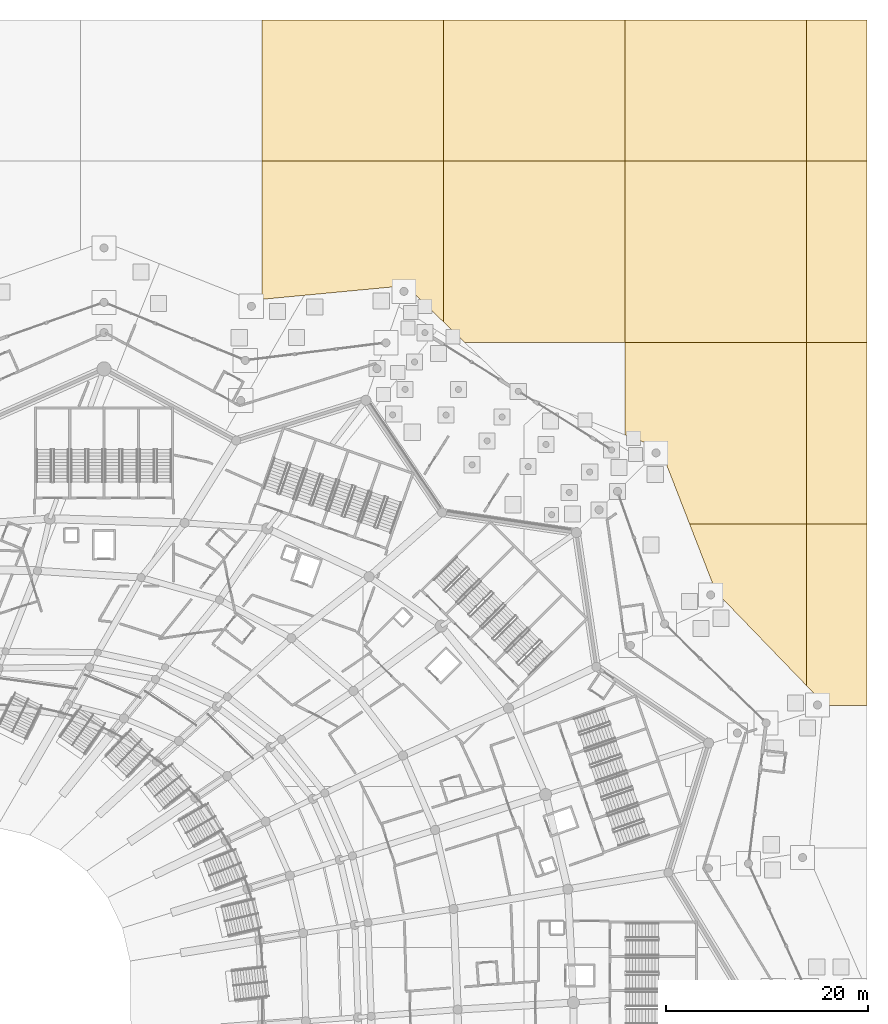
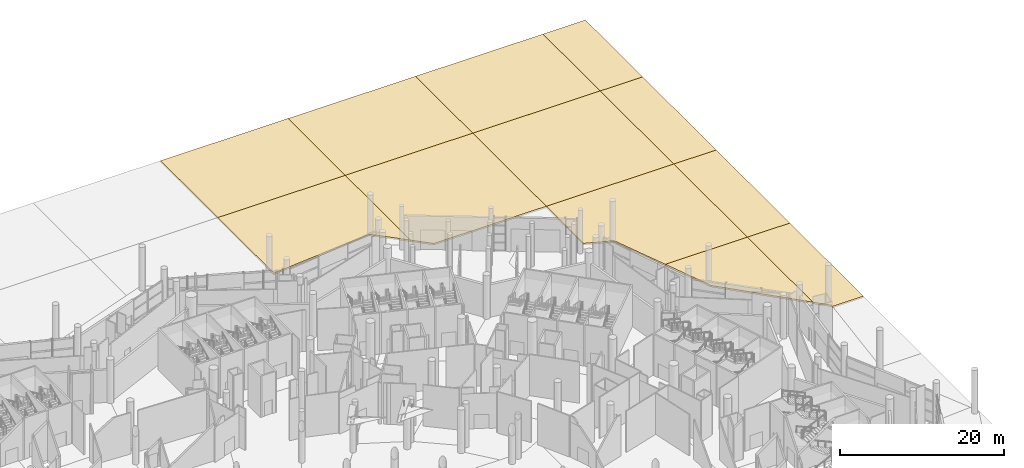
# One storey, part 255 of 255: 12 coverings.
"""IFC4 building model written with IfcOpenShell, lengths in metres."""

import ifcopenshell
import ifcopenshell.guid

model = None  # the IFC model being written
_history = None  # IfcOwnerHistory: only IFC2X3 demands one
_inside = {}  # id of a spatial element -> (the spatial element, [elements in it])
_under = {}  # id of a project, library or spatial element -> (it, [spatial elements below it])
_declared = {}  # id of a project -> (the project, [libraries it declares])
_typed = {}  # id of a type object -> (the type object, [elements of that type])
_made_of = {}  # id of a material, layer set ... -> (it, [elements and type objects made of it])


def new_model(schema):
    """Start an empty IFC model of exactly this schema.

    Asked for "IFC4X3", IfcOpenShell would pick the latest addendum, in which some entities
    have other attributes; the version numbers below select the first issue.
    IFC2X3 requires an IfcOwnerHistory on every rooted entity: one is made here for all.
    """
    global model, _history
    if schema == "IFC4X3":
        model = ifcopenshell.file(schema_version=(4, 3, 0, 0))
    else:
        model = ifcopenshell.file(schema=schema)
    _inside.clear()
    _under.clear()
    _declared.clear()
    _typed.clear()
    _made_of.clear()
    _history = None
    if model.schema == "IFC2X3":
        org = make("IfcOrganization", Name="unknown")
        user = make(
            "IfcPersonAndOrganization",
            ThePerson=make("IfcPerson", FamilyName="unknown"),
            TheOrganization=org,
        )
        app = make(
            "IfcApplication",
            ApplicationDeveloper=org,
            Version="unknown",
            ApplicationFullName="unknown",
            ApplicationIdentifier="unknown",
        )
        _history = make(
            "IfcOwnerHistory",
            OwningUser=user,
            OwningApplication=app,
            ChangeAction="ADDED",
            CreationDate=0,
        )
    return model


def make(cls, **values):
    """One entity of the class cls with the attributes given. An attribute that is None is left unset."""
    return model.create_entity(
        cls, **{name: value for name, value in values.items() if value is not None}
    )


def rooted(cls, **values):
    """An entity with a GlobalId (a new one), such as an element, a storey or a relation."""
    return make(cls, GlobalId=ifcopenshell.guid.new(), OwnerHistory=_history, **values)


def si_unit(unit_type, name, prefix=None):
    """IfcSIUnit, for example si_unit("LENGTHUNIT", "METRE", prefix="MILLI")."""
    return make("IfcSIUnit", UnitType=unit_type, Prefix=prefix, Name=name)


def assignment(units):
    """IfcUnitAssignment: the units of a project."""
    return None if units is None else make("IfcUnitAssignment", Units=units)


def point(xyz):
    """IfcCartesianPoint."""
    return None if xyz is None else make("IfcCartesianPoint", Coordinates=xyz)


def direction(xyz):
    """IfcDirection."""
    return None if xyz is None else make("IfcDirection", DirectionRatios=xyz)


def frame(location, z_axis=None, x_axis=None):
    """IfcAxis2Placement3D, a coordinate frame: its origin and axes. An axis left out is left unset."""
    return make(
        "IfcAxis2Placement3D",
        Location=point(location),
        Axis=direction(z_axis),
        RefDirection=direction(x_axis),
    )


def origin():
    """The frame at (0, 0, 0) with its axes left unset."""
    return frame((0.0, 0.0, 0.0))


def place(relative_to, where):
    """IfcLocalPlacement: puts the frame where relative to a parent placement (None: the world)."""
    return make(
        "IfcLocalPlacement", PlacementRelTo=relative_to, RelativePlacement=where
    )


def context(
    kind, dimensions, precision=None, world=None, true_north=None, identifier=None
):
    """IfcGeometricRepresentationContext, for example the 3D "Model" context."""
    return make(
        "IfcGeometricRepresentationContext",
        ContextIdentifier=identifier,
        ContextType=kind,
        CoordinateSpaceDimension=dimensions,
        Precision=precision,
        WorldCoordinateSystem=world,
        TrueNorth=true_north,
    )


def subcontext(parent, identifier, kind, view, scale=None):
    """IfcGeometricRepresentationSubContext, for example "Body" below "Model"."""
    return make(
        "IfcGeometricRepresentationSubContext",
        ContextIdentifier=identifier,
        ContextType=kind,
        ParentContext=parent,
        TargetScale=scale,
        TargetView=view,
    )


def project(units=None, contexts=None):
    """IfcProject with its units and contexts."""
    return rooted(
        "IfcProject",
        Name="project",
        RepresentationContexts=contexts,
        UnitsInContext=assignment(units),
    )


def spatial(cls, under=None, at=None, **own):
    """A site, building, storey or space (cls), placed at a placement, below another one or the project."""
    s = rooted(cls, ObjectPlacement=at, **own)
    if under is not None:
        _under.setdefault(under.id(), (under, []))[1].append(s)
    return s


def polyline(points):
    """IfcPolyline through the points."""
    return make("IfcPolyline", Points=[point(p) for p in points])


def outline(outer, holes=None, kind="AREA"):
    """IfcArbitraryClosedProfileDef: a profile drawn as a closed curve; with holes, ...WithVoids."""
    if holes is None:
        return make("IfcArbitraryClosedProfileDef", ProfileType=kind, OuterCurve=outer)
    return make(
        "IfcArbitraryProfileDefWithVoids",
        ProfileType=kind,
        OuterCurve=outer,
        InnerCurves=holes,
    )


def extrude(swept, where, along, depth):
    """IfcExtrudedAreaSolid: the profile swept, set in the frame where, extruded along a direction by depth."""
    return make(
        "IfcExtrudedAreaSolid",
        SweptArea=swept,
        Position=where,
        ExtrudedDirection=direction(along),
        Depth=depth,
    )


def shape(context_of_items, identifier, shape_type, items):
    """IfcShapeRepresentation: the items that make up one representation, for example the "Body"."""
    return make(
        "IfcShapeRepresentation",
        ContextOfItems=context_of_items,
        RepresentationIdentifier=identifier,
        RepresentationType=shape_type,
        Items=items,
    )


def material(Name=None, Category=None):
    """IfcMaterial."""
    return make("IfcMaterial", Name=Name, Category=Category)


def layer(
    of_material, thickness, ventilated=None, Name=None, Category=None, Priority=None
):
    """IfcMaterialLayer: one layer of a wall or slab, of a material (None: an air gap)."""
    return make(
        "IfcMaterialLayer",
        Material=of_material,
        LayerThickness=thickness,
        IsVentilated=ventilated,
        Name=Name,
        Category=Category,
        Priority=Priority,
    )


def layer_set(layers, Name=None):
    """IfcMaterialLayerSet."""
    return make("IfcMaterialLayerSet", MaterialLayers=layers, LayerSetName=Name)


def made_of(thing, what):
    """Note that an element or type object is made of a material, layer set ...; save() writes the relation."""
    if what is not None:
        _made_of.setdefault(what.id(), (what, []))[1].append(thing)
    return thing


def type_object(cls, material=None, **own):
    """A type object (cls), such as IfcWallType, which elements share."""
    return made_of(rooted(cls, **own), material)


def element(
    cls,
    number,
    at=None,
    inside=None,
    cuts=None,
    type_object=None,
    material=None,
    context=None,
    identifier="Body",
    shape_type=None,
    held_by="IfcProductDefinitionShape",
    body=None,
    shapes=None,
    **own,
):
    """One element of the class cls, such as IfcWall. Its Tag is "e" and its number.

    at: its placement. inside: the storey or other place that contains it. cuts: it is an
    opening in that element (IfcRelVoidsElement). A single representation is given by context,
    identifier, shape_type and body (its items); several are given by shapes. held_by: the class
    of the entity that holds the representations. save() writes the other relations.
    """
    e = rooted(cls, Tag="e%d" % number, ObjectPlacement=at, **own)
    if body is not None:
        shapes = [shape(context, identifier, shape_type, body)]
    if shapes is not None:
        e.Representation = make(held_by, Representations=shapes)
    if inside is not None:
        _inside.setdefault(inside.id(), (inside, []))[1].append(e)
    if cuts is not None:
        rooted(
            "IfcRelVoidsElement", RelatingBuildingElement=cuts, RelatedOpeningElement=e
        )
    if type_object is not None:
        _typed.setdefault(type_object.id(), (type_object, []))[1].append(e)
    return made_of(e, material)


def aggregate(whole, parts):
    """IfcRelAggregates: a whole, such as a stair, and the parts it consists of."""
    return rooted("IfcRelAggregates", RelatingObject=whole, RelatedObjects=parts)


def save(model, path):
    """Write the relations noted so far, then the file.

    IfcRelAggregates (storeys below a building ...), IfcRelContainedInSpatialStructure (elements
    in a storey), IfcRelDefinesByType, IfcRelAssociatesMaterial and IfcRelDeclares: one each for
    every whole, place, type object, material and project.
    """
    for whole, parts in _under.values():
        aggregate(whole, parts)
    for where, things in _inside.values():
        rooted(
            "IfcRelContainedInSpatialStructure",
            RelatedElements=things,
            RelatingStructure=where,
        )
    for kind, things in _typed.values():
        rooted("IfcRelDefinesByType", RelatedObjects=things, RelatingType=kind)
    for what, things in _made_of.values():
        rooted("IfcRelAssociatesMaterial", RelatedObjects=things, RelatingMaterial=what)
    for by, libraries in _declared.values():
        rooted("IfcRelDeclares", RelatingContext=by, RelatedDefinitions=libraries)
    model.write(path)


model = new_model("IFC4")

# Units and contexts
model_context = context("Model", 3, precision=1e-05, world=origin(), true_north=direction((0.0, 1.0)))
body_context = subcontext(model_context, "Body", "Model", "MODEL_VIEW")
ifc_project = project(units=[si_unit("LENGTHUNIT", "METRE"), si_unit("AREAUNIT", "SQUARE_METRE"), si_unit("VOLUMEUNIT", "CUBIC_METRE"), si_unit("PLANEANGLEUNIT", "RADIAN"), si_unit("MASSUNIT", "GRAM", prefix="KILO")], contexts=[model_context])

# Site, building, storey
site_placement = place(None, origin())
site = spatial("IfcSite", under=ifc_project, at=site_placement, CompositionType="ELEMENT")
building_placement = place(site_placement, origin())
building = spatial("IfcBuilding", under=site, at=building_placement, Name="Meseta Stadium", CompositionType="ELEMENT")
storey_placement = place(building_placement, origin())
storey = spatial("IfcBuildingStorey", under=building, at=storey_placement, Name="L00", CompositionType="ELEMENT", Elevation=0.0)

# Coverings
ifc_material = material(Name="Guadarrama granite paving on bedding", Category="masonry")
ifc_layer = layer(ifc_material, 0.25)
ifc_layer_set = layer_set([ifc_layer], Name="Ground paving 250")
covering_type = type_object("IfcCoveringType", Name="Ground paving 250", PredefinedType="FLOORING", material=ifc_layer_set)
covering_1_placement = place(storey_placement, frame((0.0, 0.0, -0.25)))
element("IfcCovering", 1, at=covering_1_placement, inside=storey, type_object=covering_type, Name="Forecourt paving 51", PredefinedType="FLOORING", context=body_context, shape_type="SweptSolid", body=[
    extrude(outline(polyline([(108.0, 73.986083984375), (109.6533203125, 72.273193359375), (109.627197265625, 72.0), (114.0, 72.0), (114.0, 90.0), (108.0, 90.0), (108.0, 73.986083984375)])), origin(), (0.0, 0.0, 1.0), 0.25),
])
covering_2_placement = place(storey_placement, frame((0.0, 0.0, -0.25)))
element("IfcCovering", 2, at=covering_2_placement, inside=storey, type_object=covering_type, Name="Forecourt paving 53", PredefinedType="FLOORING", context=body_context, shape_type="SweptSolid", body=[
    extrude(outline(polyline([(96.406982421875, 90.0), (99.0048828125, 83.30517578125), (108.0, 73.986083984375), (108.0, 90.0), (96.406982421875, 90.0)])), origin(), (0.0, 0.0, 1.0), 0.25),
])
covering_3_placement = place(storey_placement, frame((0.0, 0.0, -0.25)))
element("IfcCovering", 3, at=covering_3_placement, inside=storey, type_object=covering_type, Name="Forecourt paving 56", PredefinedType="FLOORING", context=body_context, shape_type="SweptSolid", body=[
    extrude(outline(polyline([(114.0, 90.0), (114.0, 108.0), (108.0, 108.0), (108.0, 90.0), (114.0, 90.0)])), origin(), (0.0, 0.0, 1.0), 0.25),
])
covering_4_placement = place(storey_placement, frame((0.0, 0.0, -0.25)))
element("IfcCovering", 4, at=covering_4_placement, inside=storey, type_object=covering_type, Name="Forecourt paving 58", PredefinedType="FLOORING", context=body_context, shape_type="SweptSolid", body=[
    extrude(outline(polyline([(90.0, 98.854736328125), (93.49755859375, 97.49755859375), (96.406982421875, 90.0), (108.0, 90.0), (108.0, 108.0), (90.0, 108.0), (90.0, 98.854736328125)])), origin(), (0.0, 0.0, 1.0), 0.25),
])
covering_5_placement = place(storey_placement, frame((0.0, 0.0, -0.25)))
element("IfcCovering", 5, at=covering_5_placement, inside=storey, type_object=covering_type, Name="Forecourt paving 64", PredefinedType="FLOORING", context=body_context, shape_type="SweptSolid", body=[
    extrude(outline(polyline([(108.0, 108.0), (108.0, 126.0), (90.0, 126.0), (90.0, 108.0), (108.0, 108.0)])), origin(), (0.0, 0.0, 1.0), 0.25),
])
covering_6_placement = place(storey_placement, frame((0.0, 0.0, -0.25)))
element("IfcCovering", 6, at=covering_6_placement, inside=storey, type_object=covering_type, Name="Forecourt paving 65", PredefinedType="FLOORING", context=body_context, shape_type="SweptSolid", body=[
    extrude(outline(polyline([(114.0, 108.0), (114.0, 126.0), (108.0, 126.0), (108.0, 108.0), (114.0, 108.0)])), origin(), (0.0, 0.0, 1.0), 0.25),
])
covering_7_placement = place(storey_placement, frame((0.0, 0.0, -0.25)))
element("IfcCovering", 7, at=covering_7_placement, inside=storey, type_object=covering_type, Name="Forecourt paving 67", PredefinedType="FLOORING", context=body_context, shape_type="SweptSolid", body=[
    extrude(outline(polyline([(72.0, 110.055908203125), (74.130126953125, 108.0), (90.0, 108.0), (90.0, 126.0), (72.0, 126.0), (72.0, 110.055908203125)])), origin(), (0.0, 0.0, 1.0), 0.25),
])
covering_8_placement = place(storey_placement, frame((0.0, 0.0, -0.25)))
element("IfcCovering", 8, at=covering_8_placement, inside=storey, type_object=covering_type, Name="Forecourt paving 69", PredefinedType="FLOORING", context=body_context, shape_type="SweptSolid", body=[
    extrude(outline(polyline([(54.0, 112.30029296875), (68.273193359375, 113.6533203125), (72.0, 110.055908203125), (72.0, 126.0), (54.0, 126.0), (54.0, 112.30029296875)])), origin(), (0.0, 0.0, 1.0), 0.25),
])
covering_9_placement = place(storey_placement, frame((0.0, 0.0, -0.25)))
element("IfcCovering", 9, at=covering_9_placement, inside=storey, type_object=covering_type, Name="Forecourt paving 87", PredefinedType="FLOORING", context=body_context, shape_type="SweptSolid", body=[
    extrude(outline(polyline([(72.0, 140.0), (54.0, 140.0), (54.0, 126.0), (72.0, 126.0), (72.0, 140.0)])), origin(), (0.0, 0.0, 1.0), 0.25),
])
covering_10_placement = place(storey_placement, frame((0.0, 0.0, -0.25)))
element("IfcCovering", 10, at=covering_10_placement, inside=storey, type_object=covering_type, Name="Forecourt paving 88", PredefinedType="FLOORING", context=body_context, shape_type="SweptSolid", body=[
    extrude(outline(polyline([(90.0, 140.0), (72.0, 140.0), (72.0, 126.0), (90.0, 126.0), (90.0, 140.0)])), origin(), (0.0, 0.0, 1.0), 0.25),
])
covering_11_placement = place(storey_placement, frame((0.0, 0.0, -0.25)))
element("IfcCovering", 11, at=covering_11_placement, inside=storey, type_object=covering_type, Name="Forecourt paving 89", PredefinedType="FLOORING", context=body_context, shape_type="SweptSolid", body=[
    extrude(outline(polyline([(108.0, 140.0), (90.0, 140.0), (90.0, 126.0), (108.0, 126.0), (108.0, 140.0)])), origin(), (0.0, 0.0, 1.0), 0.25),
])
covering_12_placement = place(storey_placement, frame((0.0, 0.0, -0.25)))
element("IfcCovering", 12, at=covering_12_placement, inside=storey, type_object=covering_type, Name="Forecourt paving 90", PredefinedType="FLOORING", context=body_context, shape_type="SweptSolid", body=[
    extrude(outline(polyline([(114.0, 126.0), (114.0, 140.0), (108.0, 140.0), (108.0, 126.0), (114.0, 126.0)])), origin(), (0.0, 0.0, 1.0), 0.25),
])

save(model, "model.ifc")
